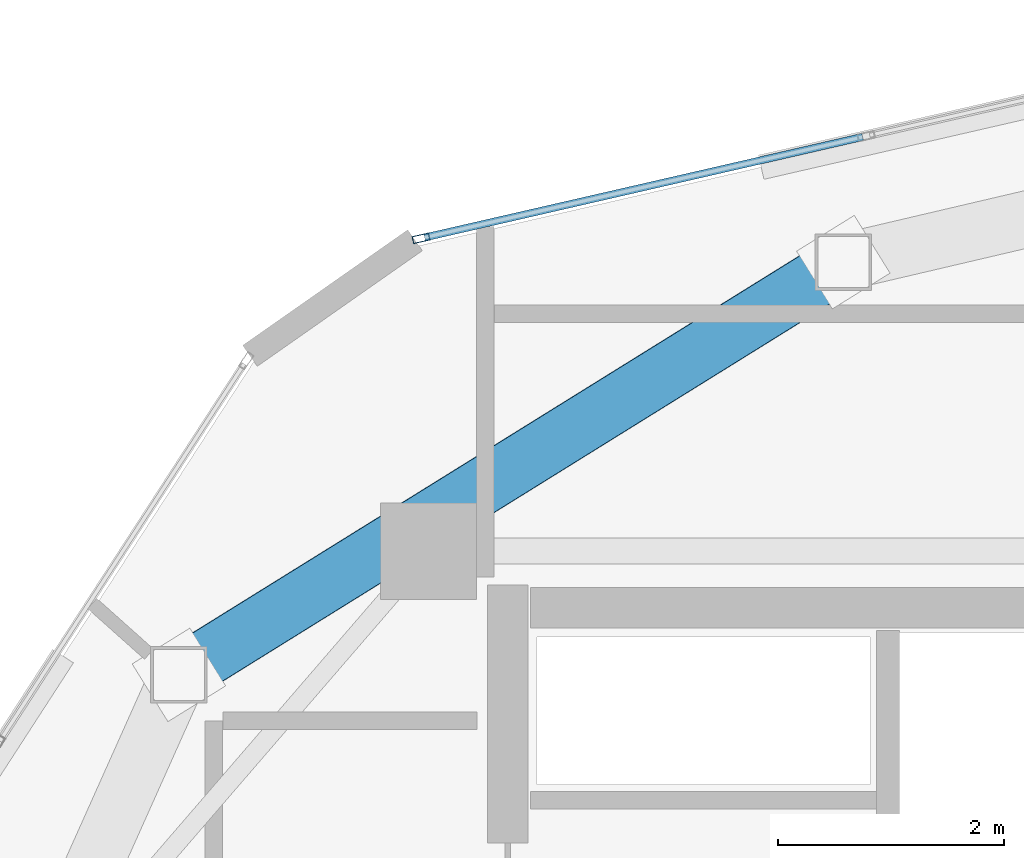
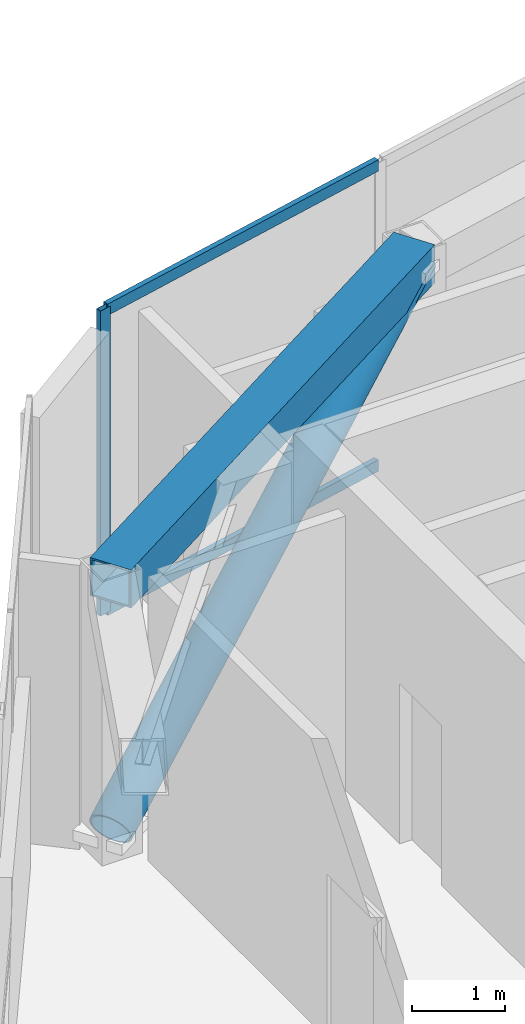
# One storey, part 10 of 20: 4 members, 1 beam, 1 element without a shape of its own.
"""IFC4 building model written with IfcOpenShell, lengths in metres."""

from ifc_helpers import new_model, si_unit, direction, frame, origin, origin_2d, place, context, subcontext, project, spatial, hollow_rectangle, hollow_circle, extrude, source, transform, mapped, material, layer, layer_set, material_profile, profile_set, type_object, type_shapes, element, aggregate, save


model = new_model("IFC4")

# Units and contexts
model_context = context("Model", 3, precision=1e-05, world=origin(), true_north=direction((0.0, 1.0)))
body_context = subcontext(model_context, "Body", "Model", "MODEL_VIEW")
ifc_project = project(units=[si_unit("LENGTHUNIT", "METRE"), si_unit("AREAUNIT", "SQUARE_METRE"), si_unit("VOLUMEUNIT", "CUBIC_METRE"), si_unit("PLANEANGLEUNIT", "RADIAN"), si_unit("MASSUNIT", "GRAM", prefix="KILO")], contexts=[model_context])

# Site, building, storey
site_placement = place(None, origin())
site = spatial("IfcSite", under=ifc_project, at=site_placement, CompositionType="ELEMENT")
building_placement = place(site_placement, origin())
building = spatial("IfcBuilding", under=site, at=building_placement, Name="Talar Marvaseh", CompositionType="ELEMENT")
storey_placement = place(building_placement, frame((0.0, 0.0, 312.0)))
storey = spatial("IfcBuildingStorey", under=building, at=storey_placement, Name="L83", CompositionType="ELEMENT", Elevation=312.0)

# Beam
ifc_material_1 = material(Name="Steel S460", Category="steel")
ifc_material_profile_1 = material_profile(ifc_material_1, hollow_rectangle(XDim=0.5, YDim=0.5, WallThickness=0.02490234375, at=origin_2d()), Name="BOX500x500x25")
ifc_profile_set_1 = profile_set([ifc_material_profile_1], Name="Steel S460")
beam_type = type_object("IfcBeamType", Name="Crown Frame Top Ring Beam BOX500x500x25", PredefinedType="BEAM", material=ifc_profile_set_1)
beam_placement = place(storey_placement, frame((16.493896484375, 35.806884765625, 3.47509765625), z_axis=(0.849439811678, 0.527685518407, 0.0), x_axis=(-0.527685518407, 0.849439811678, 0.0)))
element("IfcBeam", 1, at=beam_placement, inside=storey, type_object=beam_type, Name="L83 Crown Frame Top Ring Beam BOX500x500x25", PredefinedType="BEAM", context=body_context, shape_type="SweptSolid", body=[
    extrude(hollow_rectangle(XDim=0.5, YDim=0.5, WallThickness=0.02490234375, at=origin_2d()), origin(), (0.0, 0.0, 1.0), 6.91162109375),
])

# Member
ifc_material_profile_2 = material_profile(ifc_material_1, hollow_circle(Radius=0.25390625, WallThickness=0.02001953125, at=origin_2d()), Name="CHS508x20")
ifc_profile_set_2 = profile_set([ifc_material_profile_2], Name="Steel S460")
member_type_1 = type_object("IfcMemberType", Name="Crown Frame Diagonal Brace CHS508x20", PredefinedType="BRACE", material=ifc_profile_set_2)
shared_shape_1 = source(origin(), body_context, "Body", "SweptSolid", [
    extrude(hollow_circle(Radius=0.25390625, WallThickness=0.02001953125, at=origin_2d()), origin(), (0.0, 0.0, 1.0), 7.627197265625),
])
type_shapes(member_type_1, [shared_shape_1])
member_1_placement = place(storey_placement, frame((16.493896484375, 35.806884765625, 0.25), z_axis=(0.76976398243, 0.478189626311, 0.422845234859), x_axis=(-0.527685518407, 0.849439811678, 0.0)))
element("IfcMember", 2, at=member_1_placement, inside=storey, type_object=member_type_1, Name="L83 Crown Frame Diagonal Brace 3", PredefinedType="BRACE", context=body_context, shape_type="MappedRepresentation", body=[
    mapped(shared_shape_1, transform((0.0, 0.0, 0.0), x_axis=(1.0, 0.0, 0.0), y_axis=(0.0, 1.0, 0.0), z_axis=(0.0, 0.0, 1.0), scale=1.0)),
])

# Curtain wall, members
ifc_material_2 = material(Name="Architectural Aluminium", Category="aluminium")
ifc_layer = layer(ifc_material_2, 0.2099609375)
ifc_layer_set = layer_set([ifc_layer], Name="Architectural Aluminium")
curtain_wall_type = type_object("IfcCurtainWallType", Name="Crown Plant Acoustic Spandrel Curtain Wall", PredefinedType="NOTDEFINED", material=ifc_layer_set)
curtain_wall_placement = place(storey_placement, origin())
curtain_wall = element("IfcCurtainWall", 3, at=curtain_wall_placement, inside=storey, type_object=curtain_wall_type, Name="L83 Crown Plant Acoustic Spandrel Curtain Wall", PredefinedType="NOTDEFINED")
ifc_material_profile_3 = material_profile(ifc_material_2, hollow_rectangle(XDim=0.06494140625, YDim=0.14990234375, WallThickness=0.00390625, at=origin_2d()), Name="RHS150x65x4")
ifc_profile_set_3 = profile_set([ifc_material_profile_3], Name="Architectural Aluminium")
member_type_2 = type_object("IfcMemberType", Name="Unitised Curtain Wall Slim Transom RHS150x65x4", PredefinedType="USERDEFINED", material=ifc_profile_set_3)
shared_shape_2 = source(origin(), body_context, "Body", "SweptSolid", [
    extrude(hollow_rectangle(XDim=0.06494140625, YDim=0.14990234375, WallThickness=0.00390625, at=origin_2d()), origin(), (0.0, 0.0, 1.0), 3.97119140625),
])
type_shapes(member_type_2, [shared_shape_2])
member_2_placement = place(storey_placement, frame((18.6650390625, 39.672119140625, 0.032470703125), z_axis=(0.974638250657, 0.223786238087, 0.0), x_axis=(-0.223786238087, 0.974638250657, 0.0)))
member_2 = element("IfcMember", 4, at=member_2_placement, type_object=member_type_2, Name="CW-CRN transom 1.1", ObjectType="TRANSOM", PredefinedType="USERDEFINED", context=body_context, shape_type="MappedRepresentation", body=[
    mapped(shared_shape_2, transform((0.0, 0.0, 0.0), x_axis=(1.0, 0.0, 0.0), y_axis=(0.0, 1.0, 0.0), z_axis=(0.0, 0.0, 1.0), scale=1.0)),
])
member_3_placement = place(storey_placement, frame((18.6650390625, 39.672119140625, 3.967529296875), z_axis=(0.974638250657, 0.223786238087, 0.0), x_axis=(-0.223786238087, 0.974638250657, 0.0)))
member_3 = element("IfcMember", 5, at=member_3_placement, type_object=member_type_2, Name="CW-CRN transom 1.2", ObjectType="TRANSOM", PredefinedType="USERDEFINED", context=body_context, shape_type="MappedRepresentation", body=[
    mapped(shared_shape_2, transform((0.0, 0.0, 0.0), x_axis=(1.0, 0.0, 0.0), y_axis=(0.0, 1.0, 0.0), z_axis=(0.0, 0.0, 1.0), scale=1.0)),
])
ifc_material_profile_4 = material_profile(ifc_material_2, hollow_rectangle(XDim=0.06494140625, YDim=0.14990234375, WallThickness=0.00390625, at=origin_2d()), Name="RHS150x65x4")
ifc_profile_set_4 = profile_set([ifc_material_profile_4], Name="Architectural Aluminium")
member_type_3 = type_object("IfcMemberType", Name="Unitised Curtain Wall Slim Mullion RHS150x65x4", PredefinedType="MULLION", material=ifc_profile_set_4)
shared_shape_3 = source(origin(), body_context, "Body", "SweptSolid", [
    extrude(hollow_rectangle(XDim=0.06494140625, YDim=0.14990234375, WallThickness=0.00390625, at=origin_2d()), origin(), (0.0, 0.0, 1.0), 4.0),
])
type_shapes(member_type_3, [shared_shape_3])
member_4_placement = place(storey_placement, frame((18.63330078125, 39.664794921875, 0.0), z_axis=(0.0, 0.0, 1.0), x_axis=(-0.223791926761, 0.974636944465, 0.0)))
member_4 = element("IfcMember", 6, at=member_4_placement, type_object=member_type_3, Name="CW-CRN mullion 1", PredefinedType="MULLION", context=body_context, shape_type="MappedRepresentation", body=[
    mapped(shared_shape_3, transform((0.0, 0.0, 0.0), x_axis=(1.0, 0.0, 0.0), y_axis=(0.0, 1.0, 0.0), z_axis=(0.0, 0.0, 1.0), scale=1.0)),
])
aggregate(curtain_wall, [member_4, member_2, member_3])

save(model, "model.ifc")
